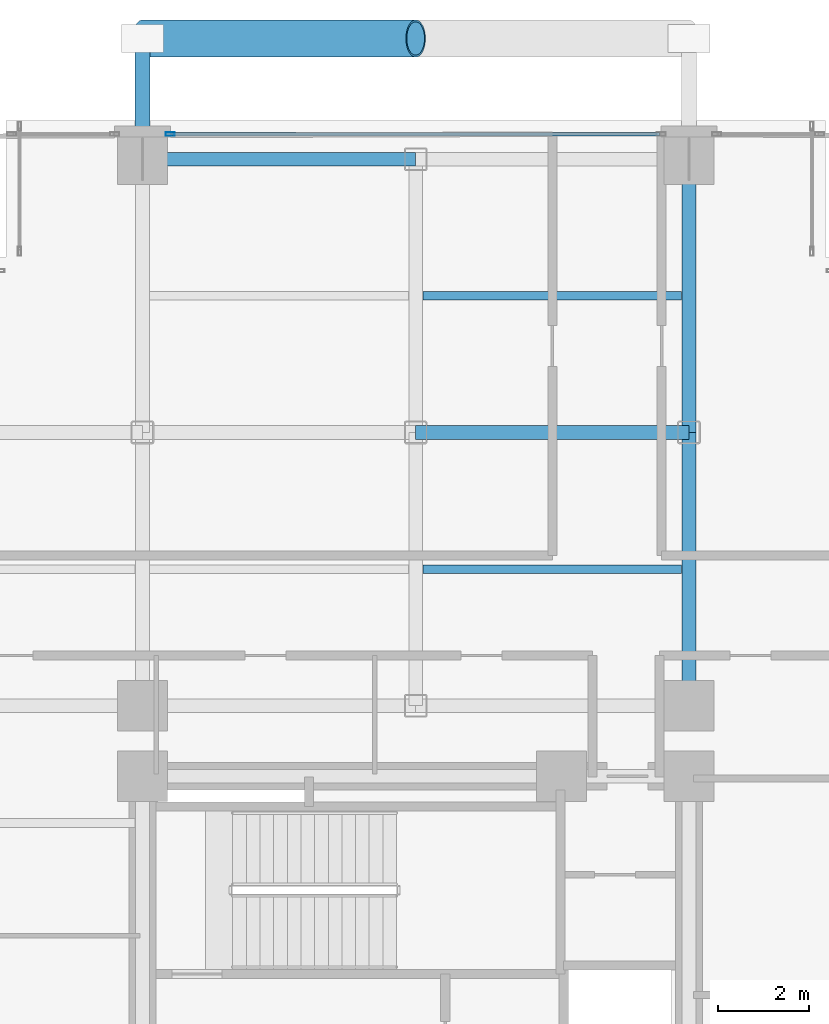
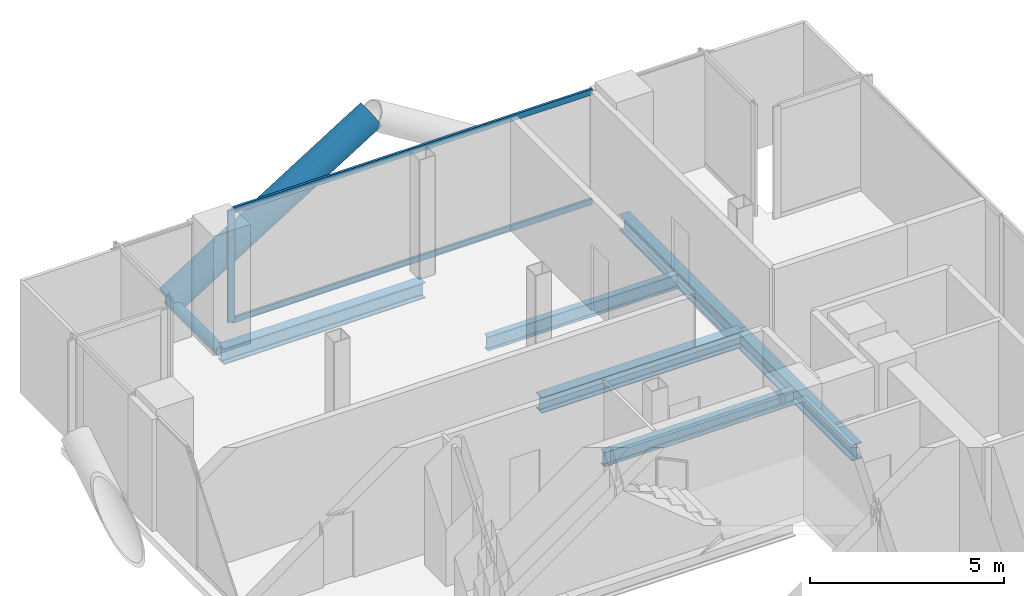
# One storey, part 15 of 24: 6 beams, 5 members, 1 element without a shape of its own.
"""IFC4 building model written with IfcOpenShell, lengths in metres."""

from ifc_helpers import new_model, si_unit, direction, frame, origin, origin_2d, place, context, subcontext, project, spatial, hollow_rectangle, hollow_circle, i_section, extrude, material, layer, layer_set, material_profile, profile_set, type_object, element, aggregate, save


model = new_model("IFC4")

# Units and contexts
model_context = context("Model", 3, precision=1e-05, world=origin(), true_north=direction((0.0, 1.0)))
body_context = subcontext(model_context, "Body", "Model", "MODEL_VIEW")
ifc_project = project(units=[si_unit("LENGTHUNIT", "METRE"), si_unit("AREAUNIT", "SQUARE_METRE"), si_unit("VOLUMEUNIT", "CUBIC_METRE"), si_unit("PLANEANGLEUNIT", "RADIAN"), si_unit("MASSUNIT", "GRAM", prefix="KILO"), si_unit("THERMODYNAMICTEMPERATUREUNIT", "KELVIN"), si_unit("POWERUNIT", "WATT")], contexts=[model_context])

# Site, building, storey
site_placement = place(None, origin())
site = spatial("IfcSite", under=ifc_project, at=site_placement, CompositionType="ELEMENT")
building_placement = place(site_placement, origin())
building = spatial("IfcBuilding", under=site, at=building_placement, Name="Svarakhadi Broadcast Tower", CompositionType="ELEMENT")
storey_placement = place(building_placement, frame((0.0, 0.0, 141.89990234375)))
storey = spatial("IfcBuildingStorey", under=building, at=storey_placement, Name="L34", CompositionType="ELEMENT", Elevation=141.89990234375)

# Beams
ifc_material_1 = material(Name="Steel S355J2 (IS 2062 E350C)", Category="steel")
ifc_material_profile_1 = material_profile(ifc_material_1, i_section(OverallWidth=0.18994140625, OverallDepth=0.449951171875, WebThickness=0.009521484375, FlangeThickness=0.0146484375, FilletRadius=0.02099609375, at=origin_2d()), Name="NPB 450x190x78")
ifc_profile_set_1 = profile_set([ifc_material_profile_1], Name="Steel S355J2 (IS 2062 E350C)")
beam_type_1 = type_object("IfcBeamType", Name="Beam_NPB450", PredefinedType="BEAM", material=ifc_profile_set_1)
for number, where, z_axis, x_axis, name in (
    (1, (12.159912109375, 32.14990234375, -0.449951171875), (1.0, 0.0, 0.0), (0.0, 1.0, 0.0), "L34 Secondary Composite Beam SB014"),
    (2, (12.159912109375, 38.14990234375, -0.449951171875), (1.0, 0.0, 0.0), (0.0, 1.0, 0.0), "L34 Secondary Composite Beam SB015"),
):
    element("IfcBeam", number, at=place(storey_placement, frame(where, z_axis=z_axis, x_axis=x_axis)), inside=storey, type_object=beam_type_1, Name=name, PredefinedType="BEAM", context=body_context, shape_type="SweptSolid", body=[
        extrude(i_section(OverallWidth=0.18994140625, OverallDepth=0.449951171875, WebThickness=0.009521484375, FlangeThickness=0.0146484375, FilletRadius=0.02099609375, at=origin_2d()), origin(), (0.0, 0.0, 1.0), 5.68017578125),
    ])

# Curtain wall, members
ifc_material_2 = material(Name="Anodised Bronze Aluminium AA 6063-T6", Category="aluminium")
ifc_layer = layer(ifc_material_2, 0.199951171875)
ifc_layer_set = layer_set([ifc_layer], Name="Anodised Bronze Aluminium AA 6063-T6")
curtain_wall_type = type_object("IfcCurtainWallType", Name="CW_Sys_03", PredefinedType="NOTDEFINED", material=ifc_layer_set)
curtain_wall_placement = place(storey_placement, origin())
curtain_wall = element("IfcCurtainWall", 3, at=curtain_wall_placement, inside=storey, type_object=curtain_wall_type, Name="L34 Unitised Facade Curtain Wall 06 Bay 2", PredefinedType="NOTDEFINED")
ifc_material_profile_2 = material_profile(ifc_material_2, hollow_rectangle(XDim=0.074951171875, YDim=0.199951171875, WallThickness=0.005615234375, at=origin_2d()), Name="ALU MULLION 200x75x6")
ifc_profile_set_2 = profile_set([ifc_material_profile_2], Name="Anodised Bronze Aluminium AA 6063-T6")
member_type_1 = type_object("IfcMemberType", Name="CW_Sys_03_Mul", PredefinedType="MULLION", material=ifc_profile_set_2)
member_1_placement = place(storey_placement, frame((6.607421875, 41.699951171875, 0.0), z_axis=(0.0, 0.0, 1.0), x_axis=(0.0, 1.0, 0.0)))
member_1 = element("IfcMember", 4, at=member_1_placement, type_object=member_type_1, Name="CW-03 mullion 1", PredefinedType="MULLION", context=body_context, shape_type="SweptSolid", body=[
    extrude(hollow_rectangle(XDim=0.074951171875, YDim=0.199951171875, WallThickness=0.005615234375, at=origin_2d()), origin(), (0.0, 0.0, 1.0), 3.525146484375),
])
ifc_material_profile_3 = material_profile(ifc_material_2, hollow_rectangle(XDim=0.070068359375, YDim=0.18505859375, WallThickness=0.0048828125, at=origin_2d()), Name="ALU TRANSOM 185x70x5")
ifc_profile_set_3 = profile_set([ifc_material_profile_3], Name="Anodised Bronze Aluminium AA 6063-T6")
member_type_2 = type_object("IfcMemberType", Name="CW_Sys_03_Trn", PredefinedType="USERDEFINED", material=ifc_profile_set_3)
member_2_placement = place(storey_placement, frame((6.64501953125, 41.699951171875, 0.03515625), z_axis=(1.0, 0.0, 0.0), x_axis=(0.0, 1.0, 0.0)))
member_2 = element("IfcMember", 5, at=member_2_placement, type_object=member_type_2, Name="CW-03 transom 1.1", ObjectType="TRANSOM", PredefinedType="USERDEFINED", context=body_context, shape_type="SweptSolid", body=[
    extrude(hollow_rectangle(XDim=0.070068359375, YDim=0.18505859375, WallThickness=0.0048828125, at=origin_2d()), origin(), (0.0, 0.0, 1.0), 10.7099609375),
])
member_3_placement = place(storey_placement, frame((6.64501953125, 41.699951171875, 3.489990234375), z_axis=(1.0, 0.0, 0.0), x_axis=(0.0, 1.0, 0.0)))
member_3 = element("IfcMember", 6, at=member_3_placement, type_object=member_type_2, Name="CW-03 transom 1.2", ObjectType="TRANSOM", PredefinedType="USERDEFINED", context=body_context, shape_type="SweptSolid", body=[
    extrude(hollow_rectangle(XDim=0.070068359375, YDim=0.18505859375, WallThickness=0.0048828125, at=origin_2d()), origin(), (0.0, 0.0, 1.0), 10.7099609375),
])
aggregate(curtain_wall, [member_1, member_2, member_3])

# Members
ifc_material_3 = material(Name="Steel S460ML (IS 2062 E450BR)", Category="steel")
ifc_material_profile_4 = material_profile(ifc_material_3, hollow_circle(Radius=0.406494140625, WallThickness=0.0400390625, at=origin_2d()), Name="CHS 813x40")
ifc_profile_set_4 = profile_set([ifc_material_profile_4], Name="Steel S460ML (IS 2062 E450BR)")
member_type_3 = type_object("IfcMemberType", Name="Exo_Brace_CHS813", PredefinedType="BRACE", material=ifc_profile_set_4)
member_4_placement = place(storey_placement, frame((6.0, 43.800048828125, -0.386962890625), z_axis=(0.847998304005, 0.0, 0.529998940003), x_axis=(0.0, 1.0, 0.0)))
element("IfcMember", 7, at=member_4_placement, inside=storey, type_object=member_type_3, Name="L34 Exposed Bronze Exoskeleton Diagonal N08", PredefinedType="BRACE", context=body_context, shape_type="SweptSolid", body=[
    extrude(hollow_circle(Radius=0.406494140625, WallThickness=0.0400390625, at=origin_2d()), origin(), (0.0, 0.0, 1.0), 7.075439453125),
])
ifc_material_profile_5 = material_profile(ifc_material_3, hollow_circle(Radius=0.161865234375, WallThickness=0.01611328125, at=origin_2d()), Name="CHS 323.9x16")
ifc_profile_set_5 = profile_set([ifc_material_profile_5], Name="Steel S460ML (IS 2062 E450BR)")
member_type_4 = type_object("IfcMemberType", Name="Exo_Radial_Strut_Z2", PredefinedType="STRUT", material=ifc_profile_set_5)
member_5_placement = place(storey_placement, frame((6.0, 43.800048828125, -0.386962890625), z_axis=(0.0, -1.0, 0.0), x_axis=(1.0, 0.0, 0.0)))
element("IfcMember", 8, at=member_5_placement, inside=storey, type_object=member_type_4, Name="L34 Exoskeleton Radial Tie Strut N10", PredefinedType="STRUT", context=body_context, shape_type="SweptSolid", body=[
    extrude(hollow_circle(Radius=0.161865234375, WallThickness=0.01611328125, at=origin_2d()), origin(), (0.0, 0.0, 1.0), 2.650146484375),
])

# Beams
ifc_material_profile_6 = material_profile(ifc_material_1, i_section(OverallWidth=0.300048828125, OverallDepth=0.5, WebThickness=0.014404296875, FlangeThickness=0.028076171875, FilletRadius=0.027099609375, at=origin_2d()), Name="WPB 500x300x187")
ifc_profile_set_6 = profile_set([ifc_material_profile_6], Name="Steel S355J2 (IS 2062 E350C)")
beam_type_2 = type_object("IfcBeamType", Name="Girder_WPB500", PredefinedType="USERDEFINED", material=ifc_profile_set_6)
for number, where, z_axis, x_axis, name in (
    (9, (12.0, 35.14990234375, -0.474853515625), (1.0, 0.0, 0.0), (0.0, 1.0, 0.0), "L34 Primary E-W Girder G037"),
    (10, (6.0, 41.14990234375, -0.474853515625), (1.0, 0.0, 0.0), (0.0, 1.0, 0.0), "L34 Primary E-W Girder G038"),
    (11, (18.0, 29.14990234375, -0.474853515625), (0.0, 1.0, 0.0), (-1.0, 0.0, 0.0), "L34 Primary N-S Girder G060"),
    (12, (18.0, 35.14990234375, -0.474853515625), (0.0, 1.0, 0.0), (-1.0, 0.0, 0.0), "L34 Primary N-S Girder G061"),
):
    element("IfcBeam", number, at=place(storey_placement, frame(where, z_axis=z_axis, x_axis=x_axis)), inside=storey, type_object=beam_type_2, Name=name, ObjectType="GIRDER", PredefinedType="USERDEFINED", context=body_context, shape_type="SweptSolid", body=[
        extrude(i_section(OverallWidth=0.300048828125, OverallDepth=0.5, WebThickness=0.014404296875, FlangeThickness=0.028076171875, FilletRadius=0.027099609375, at=origin_2d()), origin(), (0.0, 0.0, 1.0), 6.0),
    ])

save(model, "model.ifc")
